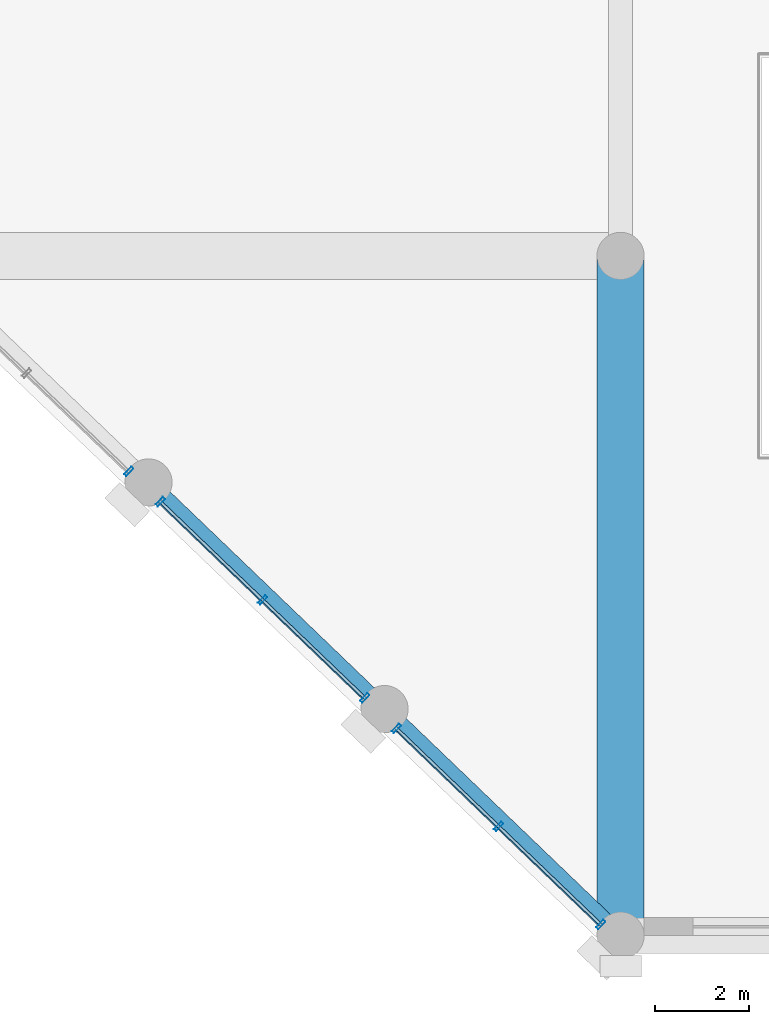
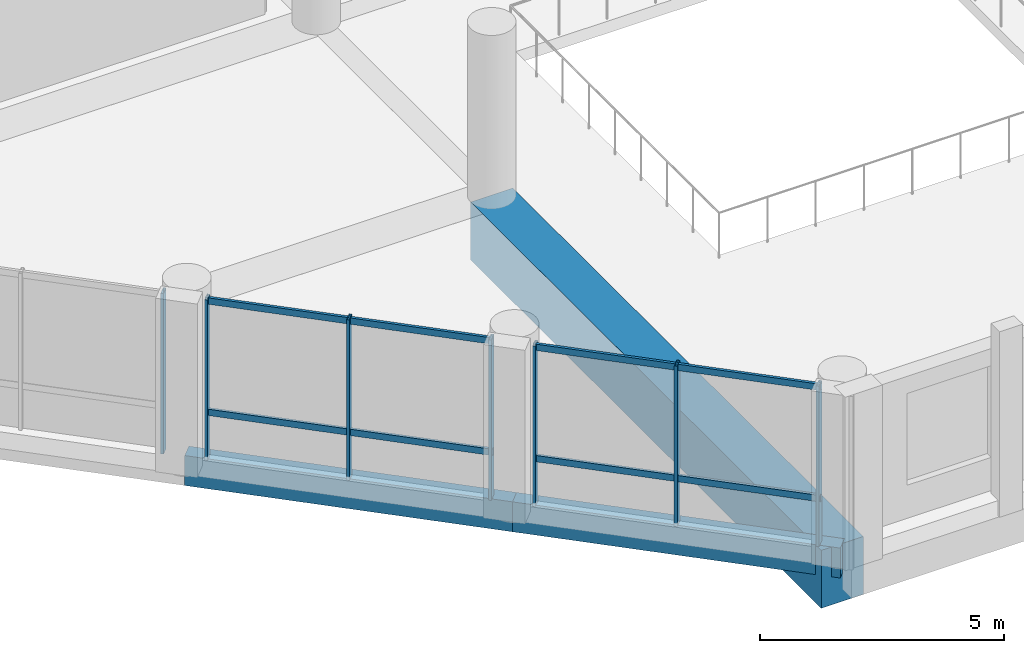
# One storey, part 6 of 64: 11 members, 3 beams, 3 elements without a shape of their own.
"""IFC4 building model written with IfcOpenShell, lengths in metres."""

import ifcopenshell
import ifcopenshell.guid

model = None  # the IFC model being written
_history = None  # IfcOwnerHistory: only IFC2X3 demands one
_inside = {}  # id of a spatial element -> (the spatial element, [elements in it])
_under = {}  # id of a project, library or spatial element -> (it, [spatial elements below it])
_declared = {}  # id of a project -> (the project, [libraries it declares])
_typed = {}  # id of a type object -> (the type object, [elements of that type])
_made_of = {}  # id of a material, layer set ... -> (it, [elements and type objects made of it])


def new_model(schema):
    """Start an empty IFC model of exactly this schema.

    Asked for "IFC4X3", IfcOpenShell would pick the latest addendum, in which some entities
    have other attributes; the version numbers below select the first issue.
    IFC2X3 requires an IfcOwnerHistory on every rooted entity: one is made here for all.
    """
    global model, _history
    if schema == "IFC4X3":
        model = ifcopenshell.file(schema_version=(4, 3, 0, 0))
    else:
        model = ifcopenshell.file(schema=schema)
    _inside.clear()
    _under.clear()
    _declared.clear()
    _typed.clear()
    _made_of.clear()
    _history = None
    if model.schema == "IFC2X3":
        org = make("IfcOrganization", Name="unknown")
        user = make(
            "IfcPersonAndOrganization",
            ThePerson=make("IfcPerson", FamilyName="unknown"),
            TheOrganization=org,
        )
        app = make(
            "IfcApplication",
            ApplicationDeveloper=org,
            Version="unknown",
            ApplicationFullName="unknown",
            ApplicationIdentifier="unknown",
        )
        _history = make(
            "IfcOwnerHistory",
            OwningUser=user,
            OwningApplication=app,
            ChangeAction="ADDED",
            CreationDate=0,
        )
    return model


def make(cls, **values):
    """One entity of the class cls with the attributes given. An attribute that is None is left unset."""
    return model.create_entity(
        cls, **{name: value for name, value in values.items() if value is not None}
    )


def rooted(cls, **values):
    """An entity with a GlobalId (a new one), such as an element, a storey or a relation."""
    return make(cls, GlobalId=ifcopenshell.guid.new(), OwnerHistory=_history, **values)


def si_unit(unit_type, name, prefix=None):
    """IfcSIUnit, for example si_unit("LENGTHUNIT", "METRE", prefix="MILLI")."""
    return make("IfcSIUnit", UnitType=unit_type, Prefix=prefix, Name=name)


def assignment(units):
    """IfcUnitAssignment: the units of a project."""
    return None if units is None else make("IfcUnitAssignment", Units=units)


def point(xyz):
    """IfcCartesianPoint."""
    return None if xyz is None else make("IfcCartesianPoint", Coordinates=xyz)


def direction(xyz):
    """IfcDirection."""
    return None if xyz is None else make("IfcDirection", DirectionRatios=xyz)


def frame(location, z_axis=None, x_axis=None):
    """IfcAxis2Placement3D, a coordinate frame: its origin and axes. An axis left out is left unset."""
    return make(
        "IfcAxis2Placement3D",
        Location=point(location),
        Axis=direction(z_axis),
        RefDirection=direction(x_axis),
    )


def frame_2d(location, x_axis=None):
    """IfcAxis2Placement2D, a coordinate frame in the plane: its origin and x axis."""
    return make(
        "IfcAxis2Placement2D", Location=point(location), RefDirection=direction(x_axis)
    )


def origin():
    """The frame at (0, 0, 0) with its axes left unset."""
    return frame((0.0, 0.0, 0.0))


def origin_2d():
    """The frame at (0, 0) in the plane with its x axis left unset."""
    return frame_2d((0.0, 0.0))


def place(relative_to, where):
    """IfcLocalPlacement: puts the frame where relative to a parent placement (None: the world)."""
    return make(
        "IfcLocalPlacement", PlacementRelTo=relative_to, RelativePlacement=where
    )


def context(
    kind, dimensions, precision=None, world=None, true_north=None, identifier=None
):
    """IfcGeometricRepresentationContext, for example the 3D "Model" context."""
    return make(
        "IfcGeometricRepresentationContext",
        ContextIdentifier=identifier,
        ContextType=kind,
        CoordinateSpaceDimension=dimensions,
        Precision=precision,
        WorldCoordinateSystem=world,
        TrueNorth=true_north,
    )


def subcontext(parent, identifier, kind, view, scale=None):
    """IfcGeometricRepresentationSubContext, for example "Body" below "Model"."""
    return make(
        "IfcGeometricRepresentationSubContext",
        ContextIdentifier=identifier,
        ContextType=kind,
        ParentContext=parent,
        TargetScale=scale,
        TargetView=view,
    )


def project(units=None, contexts=None):
    """IfcProject with its units and contexts."""
    return rooted(
        "IfcProject",
        Name="project",
        RepresentationContexts=contexts,
        UnitsInContext=assignment(units),
    )


def spatial(cls, under=None, at=None, **own):
    """A site, building, storey or space (cls), placed at a placement, below another one or the project."""
    s = rooted(cls, ObjectPlacement=at, **own)
    if under is not None:
        _under.setdefault(under.id(), (under, []))[1].append(s)
    return s


def profile(cls, at=None, kind="AREA", **sizes):
    """A parametric profile (cls). Its sizes go by their IFC names, for example OverallWidth=200.0."""
    return make(cls, ProfileType=kind, Position=at, **sizes)


def rectangle(**sizes):
    """IfcRectangleProfileDef."""
    return profile("IfcRectangleProfileDef", **sizes)


def hollow_rectangle(**sizes):
    """IfcRectangleHollowProfileDef."""
    return profile("IfcRectangleHollowProfileDef", **sizes)


def extrude(swept, where, along, depth):
    """IfcExtrudedAreaSolid: the profile swept, set in the frame where, extruded along a direction by depth."""
    return make(
        "IfcExtrudedAreaSolid",
        SweptArea=swept,
        Position=where,
        ExtrudedDirection=direction(along),
        Depth=depth,
    )


def shape(context_of_items, identifier, shape_type, items):
    """IfcShapeRepresentation: the items that make up one representation, for example the "Body"."""
    return make(
        "IfcShapeRepresentation",
        ContextOfItems=context_of_items,
        RepresentationIdentifier=identifier,
        RepresentationType=shape_type,
        Items=items,
    )


def material(Name=None, Category=None):
    """IfcMaterial."""
    return make("IfcMaterial", Name=Name, Category=Category)


def material_profile(
    of_material, cross_section, Name=None, Category=None, Priority=None
):
    """IfcMaterialProfile: a cross section and its material."""
    return make(
        "IfcMaterialProfile",
        Name=Name,
        Material=of_material,
        Profile=cross_section,
        Priority=Priority,
        Category=Category,
    )


def profile_set(profiles, Name=None, composite=None):
    """IfcMaterialProfileSet."""
    return make(
        "IfcMaterialProfileSet",
        Name=Name,
        MaterialProfiles=profiles,
        CompositeProfile=composite,
    )


def made_of(thing, what):
    """Note that an element or type object is made of a material, layer set ...; save() writes the relation."""
    if what is not None:
        _made_of.setdefault(what.id(), (what, []))[1].append(thing)
    return thing


def type_object(cls, material=None, **own):
    """A type object (cls), such as IfcWallType, which elements share."""
    return made_of(rooted(cls, **own), material)


def element(
    cls,
    number,
    at=None,
    inside=None,
    cuts=None,
    type_object=None,
    material=None,
    context=None,
    identifier="Body",
    shape_type=None,
    held_by="IfcProductDefinitionShape",
    body=None,
    shapes=None,
    **own,
):
    """One element of the class cls, such as IfcWall. Its Tag is "e" and its number.

    at: its placement. inside: the storey or other place that contains it. cuts: it is an
    opening in that element (IfcRelVoidsElement). A single representation is given by context,
    identifier, shape_type and body (its items); several are given by shapes. held_by: the class
    of the entity that holds the representations. save() writes the other relations.
    """
    e = rooted(cls, Tag="e%d" % number, ObjectPlacement=at, **own)
    if body is not None:
        shapes = [shape(context, identifier, shape_type, body)]
    if shapes is not None:
        e.Representation = make(held_by, Representations=shapes)
    if inside is not None:
        _inside.setdefault(inside.id(), (inside, []))[1].append(e)
    if cuts is not None:
        rooted(
            "IfcRelVoidsElement", RelatingBuildingElement=cuts, RelatedOpeningElement=e
        )
    if type_object is not None:
        _typed.setdefault(type_object.id(), (type_object, []))[1].append(e)
    return made_of(e, material)


def aggregate(whole, parts):
    """IfcRelAggregates: a whole, such as a stair, and the parts it consists of."""
    return rooted("IfcRelAggregates", RelatingObject=whole, RelatedObjects=parts)


def save(model, path):
    """Write the relations noted so far, then the file.

    IfcRelAggregates (storeys below a building ...), IfcRelContainedInSpatialStructure (elements
    in a storey), IfcRelDefinesByType, IfcRelAssociatesMaterial and IfcRelDeclares: one each for
    every whole, place, type object, material and project.
    """
    for whole, parts in _under.values():
        aggregate(whole, parts)
    for where, things in _inside.values():
        rooted(
            "IfcRelContainedInSpatialStructure",
            RelatedElements=things,
            RelatingStructure=where,
        )
    for kind, things in _typed.values():
        rooted("IfcRelDefinesByType", RelatedObjects=things, RelatingType=kind)
    for what, things in _made_of.values():
        rooted("IfcRelAssociatesMaterial", RelatedObjects=things, RelatingMaterial=what)
    for by, libraries in _declared.values():
        rooted("IfcRelDeclares", RelatingContext=by, RelatedDefinitions=libraries)
    model.write(path)


model = new_model("IFC4")

# Units and contexts
model_context = context("Model", 3, precision=1e-05, world=origin(), true_north=direction((0.0, 1.0)))
body_context = subcontext(model_context, "Body", "Model", "MODEL_VIEW")
ifc_project = project(units=[si_unit("LENGTHUNIT", "METRE"), si_unit("AREAUNIT", "SQUARE_METRE"), si_unit("VOLUMEUNIT", "CUBIC_METRE"), si_unit("PLANEANGLEUNIT", "RADIAN"), si_unit("MASSUNIT", "GRAM", prefix="KILO")], contexts=[model_context])

# Site, building, storey
site_placement = place(None, origin())
site = spatial("IfcSite", under=ifc_project, at=site_placement, CompositionType="ELEMENT")
building_placement = place(site_placement, origin())
building = spatial("IfcBuilding", under=site, at=building_placement, Name="Akrevak Sports Hall", CompositionType="ELEMENT")
storey_placement = place(building_placement, frame((0.0, 0.0, 4.60009765625)))
storey = spatial("IfcBuildingStorey", under=building, at=storey_placement, Name="L01", CompositionType="ELEMENT", Elevation=4.60009765625)

# Curtain wall, members
ifc_material_1 = material(Name="Anodized Bronze Aluminium & Low-E Glass", Category="aluminium")
curtain_wall_type = type_object("IfcCurtainWallType", Name="ARC-CW-POD-64x44", PredefinedType="NOTDEFINED", material=ifc_material_1)
curtain_wall_1_placement = place(storey_placement, origin())
curtain_wall_1 = element("IfcCurtainWall", 1, at=curtain_wall_1_placement, inside=storey, type_object=curtain_wall_type, Name="Curtain Wall CW-L01-CH1", PredefinedType="NOTDEFINED")
ifc_material_2 = material(Name="Anodized Bronze Aluminium", Category="aluminium")
ifc_material_profile_1 = material_profile(ifc_material_2, hollow_rectangle(XDim=0.06494140625, YDim=0.219970703125, WallThickness=0.00439453125, at=origin_2d()), Name="CWM 65x220", Category="aluminium")
ifc_profile_set_1 = profile_set([ifc_material_profile_1], Name="Anodized Bronze Aluminium")
member_type_1 = type_object("IfcMemberType", Name="ARC-CWM-70x160", PredefinedType="MULLION", material=ifc_profile_set_1)
member_1_placement = place(storey_placement, frame((14.581298828125, 0.235595703125, 0.0), z_axis=(0.0, 0.0, 1.0), x_axis=(-0.721385636978, 0.692533582407, 0.0)))
member_1 = element("IfcMember", 2, at=member_1_placement, type_object=member_type_1, Name="Curtain Wall Mullion CW-L01-CH1-M1", PredefinedType="MULLION", context=body_context, shape_type="SweptSolid", body=[
    extrude(hollow_rectangle(XDim=0.06494140625, YDim=0.219970703125, WallThickness=0.00439453125, at=origin_2d()), origin(), (0.0, 0.0, 1.0), 4.02001953125),
])
member_2_placement = place(storey_placement, frame((12.4169921875, 2.3134765625, 0.0), z_axis=(0.0, 0.0, 1.0), x_axis=(-0.721385636978, 0.692533582407, 0.0)))
member_2 = element("IfcMember", 3, at=member_2_placement, type_object=member_type_1, Name="Curtain Wall Mullion CW-L01-CH1-M2", PredefinedType="MULLION", context=body_context, shape_type="SweptSolid", body=[
    extrude(hollow_rectangle(XDim=0.06494140625, YDim=0.219970703125, WallThickness=0.00439453125, at=origin_2d()), origin(), (0.0, 0.0, 1.0), 4.02001953125),
])
member_3_placement = place(storey_placement, frame((10.25244140625, 4.391357421875, 0.0), z_axis=(0.0, 0.0, 1.0), x_axis=(-0.721385636978, 0.692533582407, 0.0)))
member_3 = element("IfcMember", 4, at=member_3_placement, type_object=member_type_1, Name="Curtain Wall Mullion CW-L01-CH1-M3", PredefinedType="MULLION", context=body_context, shape_type="SweptSolid", body=[
    extrude(hollow_rectangle(XDim=0.06494140625, YDim=0.219970703125, WallThickness=0.00439453125, at=origin_2d()), origin(), (0.0, 0.0, 1.0), 4.02001953125),
])

curtain_wall_2_placement = place(storey_placement, origin())
curtain_wall_2 = element("IfcCurtainWall", 5, at=curtain_wall_2_placement, inside=storey, type_object=curtain_wall_type, Name="Curtain Wall CW-L01-CH2", PredefinedType="NOTDEFINED")
member_4_placement = place(storey_placement, frame((9.581298828125, 5.035400390625, 0.0), z_axis=(0.0, 0.0, 1.0), x_axis=(-0.721385636978, 0.692533582407, 0.0)))
member_4 = element("IfcMember", 6, at=member_4_placement, type_object=member_type_1, Name="Curtain Wall Mullion CW-L01-CH2-M1", PredefinedType="MULLION", context=body_context, shape_type="SweptSolid", body=[
    extrude(hollow_rectangle(XDim=0.06494140625, YDim=0.219970703125, WallThickness=0.00439453125, at=origin_2d()), origin(), (0.0, 0.0, 1.0), 4.02001953125),
])
member_5_placement = place(storey_placement, frame((7.4169921875, 7.11328125, 0.0), z_axis=(0.0, 0.0, 1.0), x_axis=(-0.721385636978, 0.692533582407, 0.0)))
member_5 = element("IfcMember", 7, at=member_5_placement, type_object=member_type_1, Name="Curtain Wall Mullion CW-L01-CH2-M2", PredefinedType="MULLION", context=body_context, shape_type="SweptSolid", body=[
    extrude(hollow_rectangle(XDim=0.06494140625, YDim=0.219970703125, WallThickness=0.00439453125, at=origin_2d()), origin(), (0.0, 0.0, 1.0), 4.02001953125),
])
member_6_placement = place(storey_placement, frame((5.25244140625, 9.19140625, 0.0), z_axis=(0.0, 0.0, 1.0), x_axis=(-0.721385636978, 0.692533582407, 0.0)))
member_6 = element("IfcMember", 8, at=member_6_placement, type_object=member_type_1, Name="Curtain Wall Mullion CW-L01-CH2-M3", PredefinedType="MULLION", context=body_context, shape_type="SweptSolid", body=[
    extrude(hollow_rectangle(XDim=0.06494140625, YDim=0.219970703125, WallThickness=0.00439453125, at=origin_2d()), origin(), (0.0, 0.0, 1.0), 4.02001953125),
])

# Curtain wall, member
curtain_wall_3_placement = place(storey_placement, origin())
curtain_wall_3 = element("IfcCurtainWall", 9, at=curtain_wall_3_placement, inside=storey, type_object=curtain_wall_type, Name="Curtain Wall CW-L01-CH3", PredefinedType="NOTDEFINED")
member_7_placement = place(storey_placement, frame((4.581298828125, 9.83544921875, 0.0), z_axis=(0.0, 0.0, 1.0), x_axis=(-0.721385636978, 0.692533582407, 0.0)))
member_7 = element("IfcMember", 10, at=member_7_placement, type_object=member_type_1, Name="Curtain Wall Mullion CW-L01-CH3-M1", PredefinedType="MULLION", context=body_context, shape_type="SweptSolid", body=[
    extrude(hollow_rectangle(XDim=0.06494140625, YDim=0.219970703125, WallThickness=0.00439453125, at=origin_2d()), origin(), (0.0, 0.0, 1.0), 4.02001953125),
])
aggregate(curtain_wall_3, [member_7])

# Member
ifc_material_profile_2 = material_profile(ifc_material_2, hollow_rectangle(XDim=0.06494140625, YDim=0.159912109375, WallThickness=0.00390625, at=origin_2d()), Name="CWT 65x160", Category="aluminium")
ifc_profile_set_2 = profile_set([ifc_material_profile_2], Name="Anodized Bronze Aluminium")
member_type_2 = type_object("IfcMemberType", Name="ARC-CWT-70x130", PredefinedType="USERDEFINED", material=ifc_profile_set_2)
member_8_placement = place(storey_placement, frame((14.6103515625, 0.207763671875, 1.14990234375), z_axis=(-0.72139213458, 0.692526814041, 0.0), x_axis=(-0.692526814041, -0.72139213458, 0.0)))
member_8 = element("IfcMember", 11, at=member_8_placement, type_object=member_type_2, Name="Curtain Wall Transom CW-L01-CH1-T1", ObjectType="TRANSOM", PredefinedType="USERDEFINED", context=body_context, shape_type="SweptSolid", body=[
    extrude(hollow_rectangle(XDim=0.06494140625, YDim=0.159912109375, WallThickness=0.00390625, at=origin_2d()), origin(), (0.0, 0.0, 1.0), 6.081298828125),
])

member_9_placement = place(storey_placement, frame((14.6103515625, 0.207763671875, 3.93994140625), z_axis=(-0.72139213458, 0.692526814041, 0.0), x_axis=(-0.692526814041, -0.72139213458, 0.0)))
member_9 = element("IfcMember", 12, at=member_9_placement, type_object=member_type_2, Name="Curtain Wall Transom CW-L01-CH1-T2", ObjectType="TRANSOM", PredefinedType="USERDEFINED", context=body_context, shape_type="SweptSolid", body=[
    extrude(hollow_rectangle(XDim=0.06494140625, YDim=0.159912109375, WallThickness=0.00390625, at=origin_2d()), origin(), (0.0, 0.0, 1.0), 6.081298828125),
])

aggregate(curtain_wall_1, [member_1, member_2, member_3, member_8, member_9])

member_10_placement = place(storey_placement, frame((9.6103515625, 5.0078125, 1.14990234375), z_axis=(-0.721412191351, 0.692505920675, 0.0), x_axis=(-0.692505920675, -0.721412191351, 0.0)))
member_10 = element("IfcMember", 13, at=member_10_placement, type_object=member_type_2, Name="Curtain Wall Transom CW-L01-CH2-T1", ObjectType="TRANSOM", PredefinedType="USERDEFINED", context=body_context, shape_type="SweptSolid", body=[
    extrude(hollow_rectangle(XDim=0.06494140625, YDim=0.159912109375, WallThickness=0.00390625, at=origin_2d()), origin(), (0.0, 0.0, 1.0), 6.0810546875),
])

member_11_placement = place(storey_placement, frame((9.6103515625, 5.0078125, 3.93994140625), z_axis=(-0.721412191351, 0.692505920675, 0.0), x_axis=(-0.692505920675, -0.721412191351, 0.0)))
member_11 = element("IfcMember", 14, at=member_11_placement, type_object=member_type_2, Name="Curtain Wall Transom CW-L01-CH2-T2", ObjectType="TRANSOM", PredefinedType="USERDEFINED", context=body_context, shape_type="SweptSolid", body=[
    extrude(hollow_rectangle(XDim=0.06494140625, YDim=0.159912109375, WallThickness=0.00390625, at=origin_2d()), origin(), (0.0, 0.0, 1.0), 6.0810546875),
])

aggregate(curtain_wall_2, [member_4, member_5, member_6, member_10, member_11])

# Beams
ifc_material_3 = material(Name="Concrete C50/60", Category="concrete")
ifc_material_profile_3 = material_profile(ifc_material_3, rectangle(XDim=1.0, YDim=1.449951171875, at=origin_2d()), Name="BM 1000x1450", Category="concrete")
ifc_profile_set_3 = profile_set([ifc_material_profile_3], Name="Concrete C50/60")
beam_type_1 = type_object("IfcBeamType", Name="STR-BM-LG1000x1450", PredefinedType="BEAM", material=ifc_profile_set_3)
beam_placement = place(storey_placement, frame((15.0, 0.0, -0.72509765625), z_axis=(0.0, 1.0, 0.0), x_axis=(-1.0, 0.0, 0.0)))
element("IfcBeam", 15, at=beam_placement, inside=storey, type_object=beam_type_1, Name="Girder 3/A-C (L01)", PredefinedType="BEAM", context=body_context, shape_type="SweptSolid", body=[
    extrude(rectangle(XDim=1.0, YDim=1.449951171875, at=origin_2d()), origin(), (0.0, 0.0, 1.0), 14.39990234375),
])
ifc_material_4 = material(Name="Concrete C40/50", Category="concrete")
ifc_material_profile_4 = material_profile(ifc_material_4, rectangle(XDim=0.35009765625, YDim=0.75, at=origin_2d()), Name="SPD 350x750", Category="concrete")
ifc_profile_set_4 = profile_set([ifc_material_profile_4], Name="Concrete C40/50")
beam_type_2 = type_object("IfcBeamType", Name="STR-SPD-RC350x750", PredefinedType="SPANDREL", material=ifc_profile_set_4)
for number, where, z_axis, x_axis, name in (
    (16, (15.0, 0.0, -0.375), (-0.721383801573, 0.692535494273, 0.0), (-0.692535494273, -0.721383801573, 0.0), "Chamfer Colonnade Spandrel Girder 1 (L01)"),
    (17, (10.0, 4.800048828125, -0.375), (-0.721383801573, 0.692535494273, 0.0), (-0.692535494273, -0.721383801573, 0.0), "Chamfer Colonnade Spandrel Girder 2 (L01)"),
):
    element("IfcBeam", number, at=place(storey_placement, frame(where, z_axis=z_axis, x_axis=x_axis)), inside=storey, type_object=beam_type_2, Name=name, PredefinedType="SPANDREL", context=body_context, shape_type="SweptSolid", body=[
        extrude(rectangle(XDim=0.35009765625, YDim=0.75, at=origin_2d()), origin(), (0.0, 0.0, 1.0), 6.93115234375),
    ])

save(model, "model.ifc")
